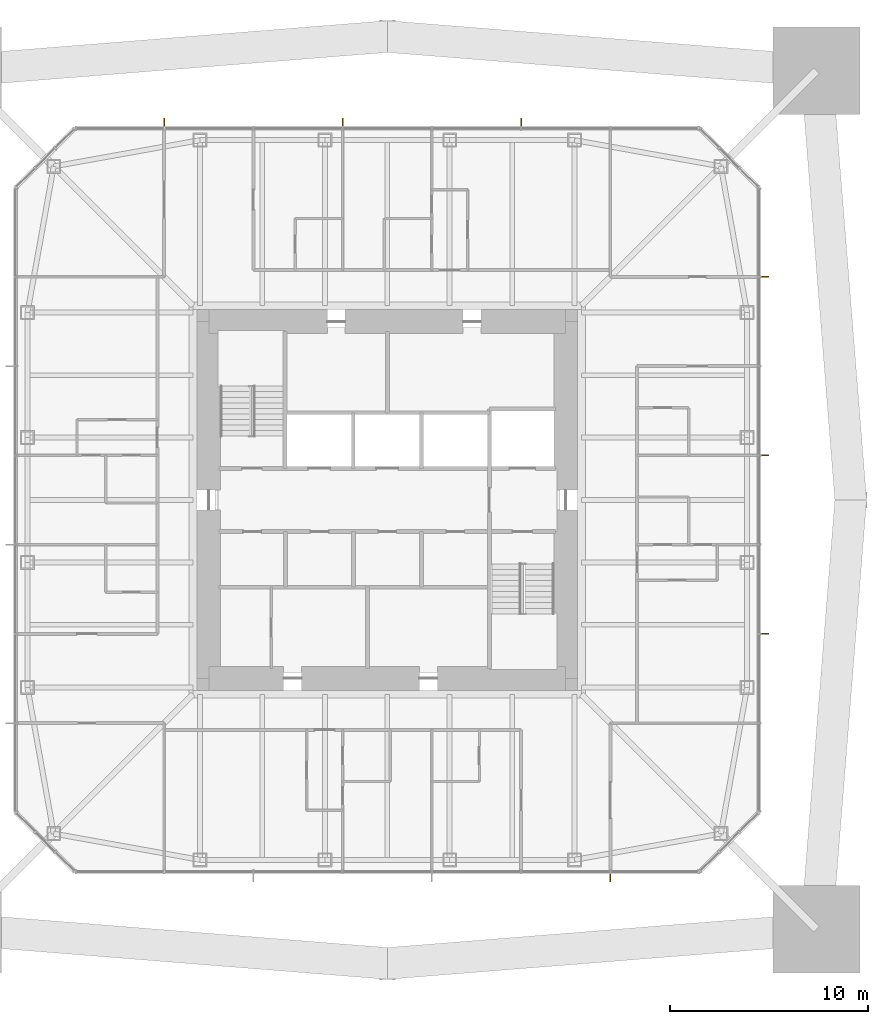
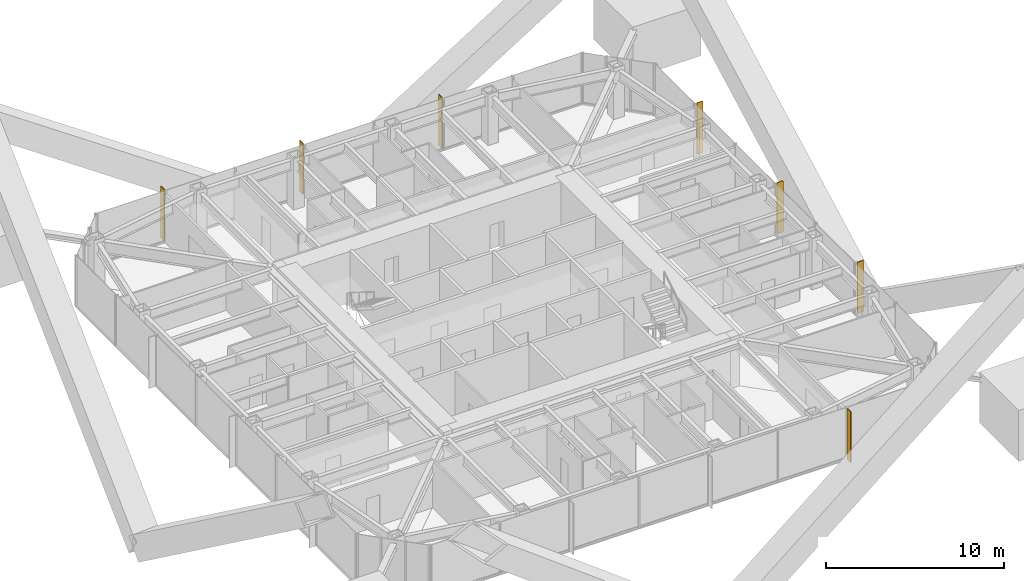
# One storey, part 13 of 13: 7 shading devices.
"""IFC4 building model written with IfcOpenShell, lengths in metres."""

from ifc_helpers import new_model, si_unit, direction, frame, origin, origin_2d, place, context, subcontext, project, spatial, rectangle, extrude, material, layer, layer_set, type_object, element, save


model = new_model("IFC4")

# Units and contexts
model_context = context("Model", 3, precision=1e-05, world=origin(), true_north=direction((0.0, 1.0)))
body_context = subcontext(model_context, "Body", "Model", "MODEL_VIEW")
ifc_project = project(units=[si_unit("LENGTHUNIT", "METRE"), si_unit("AREAUNIT", "SQUARE_METRE"), si_unit("VOLUMEUNIT", "CUBIC_METRE"), si_unit("PLANEANGLEUNIT", "RADIAN"), si_unit("MASSUNIT", "GRAM", prefix="KILO")], contexts=[model_context])

# Site, building, storey
site_placement = place(None, origin())
site = spatial("IfcSite", under=ifc_project, at=site_placement, CompositionType="ELEMENT")
building_placement = place(site_placement, origin())
building = spatial("IfcBuilding", under=site, at=building_placement, Name="Iwan Alto Co-Living Towers", CompositionType="ELEMENT")
storey_placement = place(building_placement, frame((0.0, 0.0, 167.0)))
storey = spatial("IfcBuildingStorey", under=building, at=storey_placement, Name="L45", CompositionType="ELEMENT", Elevation=167.0)

# Shading devices
ifc_material = material(Name="Aluminium 6063-T6 bronze anodised", Category="aluminium")
ifc_layer = layer(ifc_material, 0.050048828125)
ifc_layer_set = layer_set([ifc_layer], Name="BRONZE FIN 50X400")
shading_device_type = type_object("IfcShadingDeviceType", Name="BRONZE FIN 50X400", PredefinedType="USERDEFINED", material=ifc_layer_set)
for number, where, z_axis, x_axis, name in (
    (1, (11.25, -19.050048828125, 0.0), (0.0, 0.0, 1.0), (1.0, 0.0, 0.0), "Bronze fin L45"),
    (2, (19.050048828125, -6.75, 0.0), (0.0, 0.0, 1.0), (0.0, 1.0, 0.0), "Bronze fin L45"),
    (3, (19.050048828125, 2.25, 0.0), (0.0, 0.0, 1.0), (0.0, 1.0, 0.0), "Bronze fin L45"),
    (4, (19.050048828125, 11.25, 0.0), (0.0, 0.0, 1.0), (0.0, 1.0, 0.0), "Bronze fin L45"),
    (5, (6.75, 19.050048828125, 0.0), (0.0, 0.0, 1.0), (-1.0, 0.0, 0.0), "Bronze fin L45"),
    (6, (-2.25, 19.050048828125, 0.0), (0.0, 0.0, 1.0), (-1.0, 0.0, 0.0), "Bronze fin L45"),
    (7, (-11.25, 19.050048828125, 0.0), (0.0, 0.0, 1.0), (-1.0, 0.0, 0.0), "Bronze fin L45"),
):
    element("IfcShadingDevice", number, at=place(storey_placement, frame(where, z_axis=z_axis, x_axis=x_axis)), inside=storey, type_object=shading_device_type, Name=name, ObjectType="LOUVER", PredefinedType="USERDEFINED", context=body_context, shape_type="SweptSolid", body=[
        extrude(rectangle(XDim=0.050048828125, YDim=0.39990234375, at=origin_2d()), origin(), (0.0, 0.0, 1.0), 3.5),
    ])

save(model, "model.ifc")
